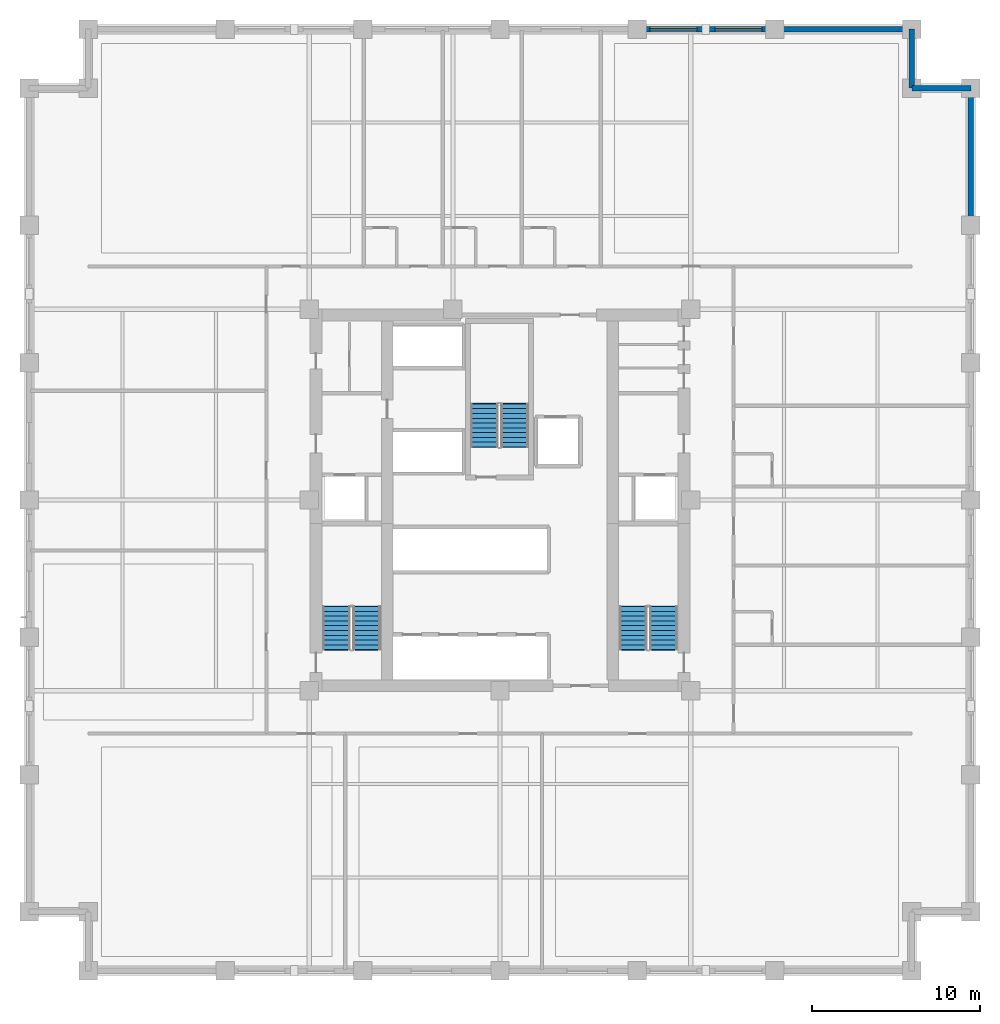
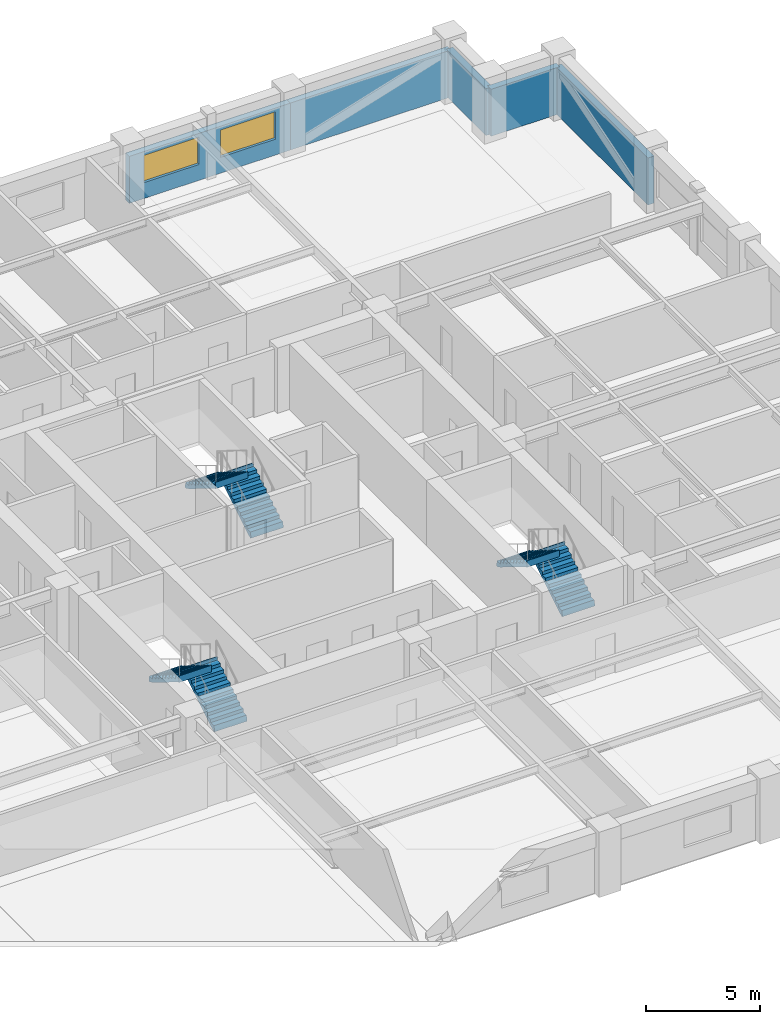
# One storey, part 7 of 12: 6 stair flights, 5 walls, 2 windows, 2 openings, 3 elements without a shape of their own.
"""IFC4 building model written with IfcOpenShell, lengths in metres."""

from ifc_helpers import new_model, si_unit, direction, frame, frame_2d, origin, place, context, subcontext, project, spatial, polyline, rectangle, outline, extrude, material, layer, layer_set, type_object, element, fill, aggregate, save


model = new_model("IFC4")

# Units and contexts
model_context = context("Model", 3, precision=1e-05, world=origin(), true_north=direction((0.0, 1.0)))
body_context = subcontext(model_context, "Body", "Model", "MODEL_VIEW")
ifc_project = project(units=[si_unit("LENGTHUNIT", "METRE"), si_unit("AREAUNIT", "SQUARE_METRE"), si_unit("VOLUMEUNIT", "CUBIC_METRE"), si_unit("PLANEANGLEUNIT", "RADIAN"), si_unit("MASSUNIT", "GRAM", prefix="KILO")], contexts=[model_context])

# Site, building, storey
site_placement = place(None, origin())
site = spatial("IfcSite", under=ifc_project, at=site_placement, CompositionType="ELEMENT")
building_placement = place(site_placement, origin())
building = spatial("IfcBuilding", under=site, at=building_placement, Name="Nhamokura Convention Tower", CompositionType="ELEMENT")
storey_placement = place(building_placement, frame((0.0, 0.0, 49.35009765625)))
storey = spatial("IfcBuildingStorey", under=building, at=storey_placement, Name="L10", CompositionType="ELEMENT", Elevation=49.35009765625)

# Wall, openings, windows
ifc_material_1 = material(Name="Bronze-pigmented precast concrete C45/55", Category="concrete")
ifc_layer = layer(ifc_material_1, 0.320068359375)
ifc_layer_set = layer_set([ifc_layer], Name="BronzePrecastSpandrel_320")
wall_type = type_object("IfcWallType", Name="BronzePrecastSpandrel_320", PredefinedType="USERDEFINED", material=ifc_layer_set)
wall_placement = place(storey_placement, frame((40.166748046875, 60.0, 0.0), z_axis=(0.0, 0.0, 1.0), x_axis=(1.0, 0.0, 0.0)))
wall = element("IfcWall", 1, at=wall_placement, inside=storey, type_object=wall_type, Name="L10 Masonry-Frame Wall NORTH 4", ObjectType="SPANDREL_WALL", PredefinedType="USERDEFINED", context=body_context, shape_type="SweptSolid", body=[
    extrude(rectangle(XDim=8.16650390625, YDim=0.320068359375, at=frame_2d((4.083251953125, 0.0))), origin(), (0.0, 0.0, 1.0), 2.52001953125),
])
opening_1_placement = place(wall_placement, frame((0.74169921875, 0.0, 0.85009765625)))
opening_1 = element("IfcOpeningElement", 2, at=opening_1_placement, cuts=wall, Name="Opening W-04", PredefinedType="OPENING", context=body_context, shape_type="SweptSolid", body=[
    extrude(rectangle(XDim=2.800048828125, YDim=1.469970703125, at=frame_2d((1.39990234375, 0.73486328125))), frame((0.0, 0.169921875, 0.0), z_axis=(0.0, -1.0, 0.0), x_axis=(1.0, 0.0, 0.0)), (0.0, 0.0, 1.0), 0.340087890625),
])
opening_2_placement = place(wall_placement, frame((4.625, 0.0, 0.85009765625)))
opening_2 = element("IfcOpeningElement", 3, at=opening_2_placement, cuts=wall, Name="Opening W-04", PredefinedType="OPENING", context=body_context, shape_type="SweptSolid", body=[
    extrude(rectangle(XDim=2.800048828125, YDim=1.469970703125, at=frame_2d((1.39990234375, 0.73486328125))), frame((0.0, 0.169921875, 0.0), z_axis=(0.0, -1.0, 0.0), x_axis=(1.0, 0.0, 0.0)), (0.0, 0.0, 1.0), 0.340087890625),
])
ifc_material_2 = material(Name="Solar-control bronze low-E double glass", Category="glass")
window_type = type_object("IfcWindowType", Name="HotelSuiteWindow_2800", PartitioningType="DOUBLE_PANEL_VERTICAL", PredefinedType="WINDOW", material=ifc_material_2)
window_1_placement = place(opening_1_placement, origin())
window_1 = element("IfcWindow", 4, at=window_1_placement, inside=storey, type_object=window_type, Name="L10 Facade Window NORTH 4-1", OverallHeight=1.469970703125, OverallWidth=2.800048828125, PartitioningType="SINGLE_PANEL", PredefinedType="WINDOW", context=body_context, shape_type="SweptSolid", body=[
    extrude(rectangle(XDim=2.800048828125, YDim=1.469970703125, at=frame_2d((1.39990234375, 0.73486328125))), frame((0.0, 0.030029296875, 0.0), z_axis=(0.0, -1.0, 0.0), x_axis=(1.0, 0.0, 0.0)), (0.0, 0.0, 1.0), 0.06005859375),
])
fill(opening_1, window_1)
window_2_placement = place(opening_2_placement, origin())
window_2 = element("IfcWindow", 5, at=window_2_placement, inside=storey, type_object=window_type, Name="L10 Facade Window NORTH 4-2", OverallHeight=1.469970703125, OverallWidth=2.800048828125, PartitioningType="SINGLE_PANEL", PredefinedType="WINDOW", context=body_context, shape_type="SweptSolid", body=[
    extrude(rectangle(XDim=2.800048828125, YDim=1.469970703125, at=frame_2d((1.39990234375, 0.73486328125))), frame((0.0, 0.030029296875, 0.0), z_axis=(0.0, -1.0, 0.0), x_axis=(1.0, 0.0, 0.0)), (0.0, 0.0, 1.0), 0.06005859375),
])
fill(opening_2, window_2)

# Walls
for number, where, z_axis, x_axis, name in (
    (6, (48.333251953125, 60.0, 0.0), (0.0, 0.0, 1.0), (1.0, 0.0, 0.0), "L10 Braced-Bay Precast Wall NORTH 5"),
    (7, (60.0, 56.5, 0.0), (0.0, 0.0, 1.0), (0.0, -1.0, 0.0), "L10 Braced-Bay Precast Wall EAST 5"),
):
    element("IfcWall", number, at=place(storey_placement, frame(where, z_axis=z_axis, x_axis=x_axis)), inside=storey, type_object=wall_type, Name=name, ObjectType="SPANDREL_WALL", PredefinedType="USERDEFINED", context=body_context, shape_type="SweptSolid", body=[
        extrude(rectangle(XDim=8.166748046875, YDim=0.320068359375, at=frame_2d((4.08349609375, 0.0))), origin(), (0.0, 0.0, 1.0), 2.52001953125),
    ])
for number, where, z_axis, x_axis, name in (
    (8, (56.5, 56.5, 0.0), (0.0, 0.0, 1.0), (1.0, 0.0, 0.0), "L10 Notched Corner Wall NE1"),
    (9, (56.5, 60.0, 0.0), (0.0, 0.0, 1.0), (0.0, -1.0, 0.0), "L10 Notched Corner Wall NE2"),
):
    element("IfcWall", number, at=place(storey_placement, frame(where, z_axis=z_axis, x_axis=x_axis)), inside=storey, type_object=wall_type, Name=name, ObjectType="SPANDREL_WALL", PredefinedType="USERDEFINED", context=body_context, shape_type="SweptSolid", body=[
        extrude(rectangle(XDim=3.5, YDim=0.320068359375, at=frame_2d((1.75, 0.0))), origin(), (0.0, 0.0, 1.0), 2.52001953125),
    ])

# Stair, stair flights
ifc_material_3 = material(Name="Concrete C40/50", Category="concrete")
stair_type = type_object("IfcStairType", Name="TowerCoreStair_1650", PredefinedType="HALF_TURN_STAIR", material=ifc_material_3)
stair_1_placement = place(storey_placement, origin())
stair_1 = element("IfcStair", 10, at=stair_1_placement, inside=storey, type_object=stair_type, Name="L10 West Core Smokeproof Stair ST-01", PredefinedType="HALF_TURN_STAIR")
ifc_material_4 = material(Name="Concrete C40/50", Category="concrete")
stair_flight_type = type_object("IfcStairFlightType", Name="TowerCoreStair_1650_Flight", PredefinedType="STRAIGHT", material=ifc_material_4)
stair_flight_1_placement = place(storey_placement, frame((24.074951171875, 23.10009765625, 0.0), z_axis=(0.0, 0.0, 1.0), x_axis=(0.0, 1.0, 0.0)))
stair_flight_1 = element("IfcStairFlight", 11, at=stair_flight_1_placement, type_object=stair_flight_type, Name="ST-01 flight 1", NumberOfRisers=10, NumberOfTreads=9, PredefinedType="STRAIGHT", RiserHeight=0.175, TreadLength=0.285, context=body_context, shape_type="SweptSolid", body=[
    extrude(outline(polyline([(-0.0419921875, 0.0), (0.0, 0.175048828125), (0.284912109375, 0.175048828125), (0.284912109375, 0.35009765625), (0.570068359375, 0.35009765625), (0.570068359375, 0.52490234375), (0.85498046875, 0.52490234375), (0.85498046875, 0.699951171875), (1.139892578125, 0.699951171875), (1.139892578125, 0.875), (1.425048828125, 0.875), (1.425048828125, 1.050048828125), (1.7099609375, 1.050048828125), (1.7099609375, 1.22509765625), (1.9951171875, 1.22509765625), (1.9951171875, 1.39990234375), (2.280029296875, 1.39990234375), (2.280029296875, 1.574951171875), (2.56494140625, 1.574951171875), (2.56494140625, 1.75), (2.60693359375, 1.75), (2.60693359375, 1.399169921875), (2.56494140625, 1.399169921875), (0.286376953125, 0.0), (0.02001953125, -0.1298828125), (-0.0419921875, -0.1298828125), (-0.0419921875, 0.0)])), frame((0.0, 0.824951171875, 0.0), z_axis=(0.0, -1.0, 0.0), x_axis=(1.0, 0.0, 0.0)), (0.0, 0.0, 1.0), 1.64990234375),
])
stair_flight_2_placement = place(storey_placement, frame((22.27490234375, 25.6650390625, 1.75), z_axis=(0.0, 0.0, 1.0), x_axis=(0.0, -1.0, 0.0)))
stair_flight_2 = element("IfcStairFlight", 12, at=stair_flight_2_placement, type_object=stair_flight_type, Name="ST-01 flight 2", NumberOfRisers=10, NumberOfTreads=9, PredefinedType="STRAIGHT", RiserHeight=0.175, TreadLength=0.285, context=body_context, shape_type="SweptSolid", body=[
    extrude(outline(polyline([(-0.0419921875, 0.0), (0.0, 0.175048828125), (0.284912109375, 0.175048828125), (0.284912109375, 0.35009765625), (0.570068359375, 0.35009765625), (0.570068359375, 0.52490234375), (0.85498046875, 0.52490234375), (0.85498046875, 0.699951171875), (1.139892578125, 0.699951171875), (1.139892578125, 0.875), (1.425048828125, 0.875), (1.425048828125, 1.050048828125), (1.7099609375, 1.050048828125), (1.7099609375, 1.22509765625), (1.9951171875, 1.22509765625), (1.9951171875, 1.39990234375), (2.280029296875, 1.39990234375), (2.280029296875, 1.574951171875), (2.56494140625, 1.574951171875), (2.56494140625, 1.75), (2.60693359375, 1.75), (2.60693359375, 1.399169921875), (2.56494140625, 1.399169921875), (0.286376953125, 0.0), (0.02001953125, -0.1298828125), (-0.0419921875, -0.1298828125), (-0.0419921875, 0.0)])), frame((0.0, 0.824951171875, 0.0), z_axis=(0.0, -1.0, 0.0), x_axis=(1.0, 0.0, 0.0)), (0.0, 0.0, 1.0), 1.64990234375),
])
aggregate(stair_1, [stair_flight_1, stair_flight_2])

stair_2_placement = place(storey_placement, origin())
stair_2 = element("IfcStair", 13, at=stair_2_placement, inside=storey, type_object=stair_type, Name="L10 East Core Smokeproof Stair ST-02", PredefinedType="HALF_TURN_STAIR")
stair_flight_3_placement = place(storey_placement, frame((41.72509765625, 23.10009765625, 0.0), z_axis=(0.0, 0.0, 1.0), x_axis=(0.0, 1.0, 0.0)))
stair_flight_3 = element("IfcStairFlight", 14, at=stair_flight_3_placement, type_object=stair_flight_type, Name="ST-02 flight 1", NumberOfRisers=10, NumberOfTreads=9, PredefinedType="STRAIGHT", RiserHeight=0.175, TreadLength=0.285, context=body_context, shape_type="SweptSolid", body=[
    extrude(outline(polyline([(-0.0419921875, 0.0), (0.0, 0.175048828125), (0.284912109375, 0.175048828125), (0.284912109375, 0.35009765625), (0.570068359375, 0.35009765625), (0.570068359375, 0.52490234375), (0.85498046875, 0.52490234375), (0.85498046875, 0.699951171875), (1.139892578125, 0.699951171875), (1.139892578125, 0.875), (1.425048828125, 0.875), (1.425048828125, 1.050048828125), (1.7099609375, 1.050048828125), (1.7099609375, 1.22509765625), (1.9951171875, 1.22509765625), (1.9951171875, 1.39990234375), (2.280029296875, 1.39990234375), (2.280029296875, 1.574951171875), (2.56494140625, 1.574951171875), (2.56494140625, 1.75), (2.60693359375, 1.75), (2.60693359375, 1.399169921875), (2.56494140625, 1.399169921875), (0.286376953125, 0.0), (0.02001953125, -0.1298828125), (-0.0419921875, -0.1298828125), (-0.0419921875, 0.0)])), frame((0.0, 0.824951171875, 0.0), z_axis=(0.0, -1.0, 0.0), x_axis=(1.0, 0.0, 0.0)), (0.0, 0.0, 1.0), 1.64990234375),
])
stair_flight_4_placement = place(storey_placement, frame((39.925048828125, 25.6650390625, 1.75), z_axis=(0.0, 0.0, 1.0), x_axis=(0.0, -1.0, 0.0)))
stair_flight_4 = element("IfcStairFlight", 15, at=stair_flight_4_placement, type_object=stair_flight_type, Name="ST-02 flight 2", NumberOfRisers=10, NumberOfTreads=9, PredefinedType="STRAIGHT", RiserHeight=0.175, TreadLength=0.285, context=body_context, shape_type="SweptSolid", body=[
    extrude(outline(polyline([(-0.0419921875, 0.0), (0.0, 0.175048828125), (0.284912109375, 0.175048828125), (0.284912109375, 0.35009765625), (0.570068359375, 0.35009765625), (0.570068359375, 0.52490234375), (0.85498046875, 0.52490234375), (0.85498046875, 0.699951171875), (1.139892578125, 0.699951171875), (1.139892578125, 0.875), (1.425048828125, 0.875), (1.425048828125, 1.050048828125), (1.7099609375, 1.050048828125), (1.7099609375, 1.22509765625), (1.9951171875, 1.22509765625), (1.9951171875, 1.39990234375), (2.280029296875, 1.39990234375), (2.280029296875, 1.574951171875), (2.56494140625, 1.574951171875), (2.56494140625, 1.75), (2.60693359375, 1.75), (2.60693359375, 1.399169921875), (2.56494140625, 1.399169921875), (0.286376953125, 0.0), (0.02001953125, -0.1298828125), (-0.0419921875, -0.1298828125), (-0.0419921875, 0.0)])), frame((0.0, 0.824951171875, 0.0), z_axis=(0.0, -1.0, 0.0), x_axis=(1.0, 0.0, 0.0)), (0.0, 0.0, 1.0), 1.64990234375),
])
aggregate(stair_2, [stair_flight_3, stair_flight_4])

stair_3_placement = place(storey_placement, origin())
stair_3 = element("IfcStair", 16, at=stair_3_placement, inside=storey, type_object=stair_type, Name="L10 North Core Smokeproof Stair ST-03", PredefinedType="HALF_TURN_STAIR")
stair_flight_5_placement = place(storey_placement, frame((32.875, 35.14990234375, 0.0), z_axis=(0.0, 0.0, 1.0), x_axis=(0.0, 1.0, 0.0)))
stair_flight_5 = element("IfcStairFlight", 17, at=stair_flight_5_placement, type_object=stair_flight_type, Name="ST-03 flight 1", NumberOfRisers=10, NumberOfTreads=9, PredefinedType="STRAIGHT", RiserHeight=0.175, TreadLength=0.285, context=body_context, shape_type="SweptSolid", body=[
    extrude(outline(polyline([(-0.0419921875, 0.0), (0.0, 0.175048828125), (0.284912109375, 0.175048828125), (0.284912109375, 0.35009765625), (0.570068359375, 0.35009765625), (0.570068359375, 0.52490234375), (0.85498046875, 0.52490234375), (0.85498046875, 0.699951171875), (1.139892578125, 0.699951171875), (1.139892578125, 0.875), (1.425048828125, 0.875), (1.425048828125, 1.050048828125), (1.7099609375, 1.050048828125), (1.7099609375, 1.22509765625), (1.9951171875, 1.22509765625), (1.9951171875, 1.39990234375), (2.280029296875, 1.39990234375), (2.280029296875, 1.574951171875), (2.56494140625, 1.574951171875), (2.56494140625, 1.75), (2.60693359375, 1.75), (2.60693359375, 1.399169921875), (2.56494140625, 1.399169921875), (0.286376953125, 0.0), (0.02001953125, -0.1298828125), (-0.0419921875, -0.1298828125), (-0.0419921875, 0.0)])), frame((0.0, 0.824951171875, 0.0), z_axis=(0.0, -1.0, 0.0), x_axis=(1.0, 0.0, 0.0)), (0.0, 0.0, 1.0), 1.64990234375),
])
stair_flight_6_placement = place(storey_placement, frame((31.074951171875, 37.715087890625, 1.75), z_axis=(0.0, 0.0, 1.0), x_axis=(0.0, -1.0, 0.0)))
stair_flight_6 = element("IfcStairFlight", 18, at=stair_flight_6_placement, type_object=stair_flight_type, Name="ST-03 flight 2", NumberOfRisers=10, NumberOfTreads=9, PredefinedType="STRAIGHT", RiserHeight=0.175, TreadLength=0.285, context=body_context, shape_type="SweptSolid", body=[
    extrude(outline(polyline([(-0.0419921875, 0.0), (0.0, 0.175048828125), (0.284912109375, 0.175048828125), (0.284912109375, 0.35009765625), (0.570068359375, 0.35009765625), (0.570068359375, 0.52490234375), (0.85498046875, 0.52490234375), (0.85498046875, 0.699951171875), (1.139892578125, 0.699951171875), (1.139892578125, 0.875), (1.425048828125, 0.875), (1.425048828125, 1.050048828125), (1.7099609375, 1.050048828125), (1.7099609375, 1.22509765625), (1.9951171875, 1.22509765625), (1.9951171875, 1.39990234375), (2.280029296875, 1.39990234375), (2.280029296875, 1.574951171875), (2.56494140625, 1.574951171875), (2.56494140625, 1.75), (2.60693359375, 1.75), (2.60693359375, 1.399169921875), (2.56494140625, 1.399169921875), (0.286376953125, 0.0), (0.02001953125, -0.1298828125), (-0.0419921875, -0.1298828125), (-0.0419921875, 0.0)])), frame((0.0, 0.824951171875, 0.0), z_axis=(0.0, -1.0, 0.0), x_axis=(1.0, 0.0, 0.0)), (0.0, 0.0, 1.0), 1.64990234375),
])
aggregate(stair_3, [stair_flight_5, stair_flight_6])

save(model, "model.ifc")
